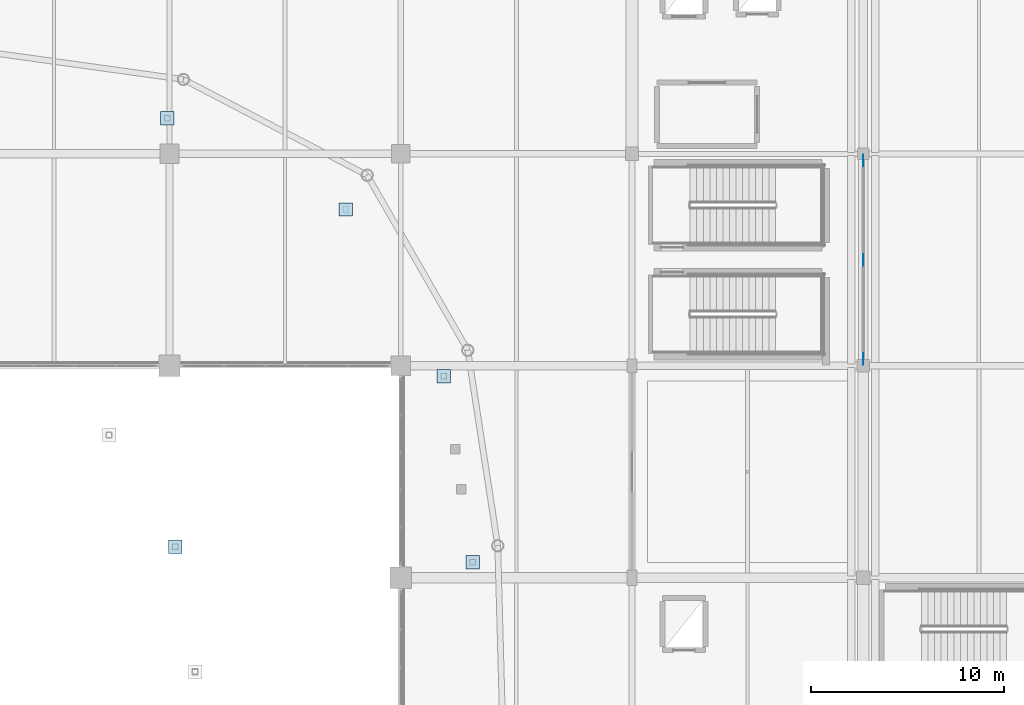
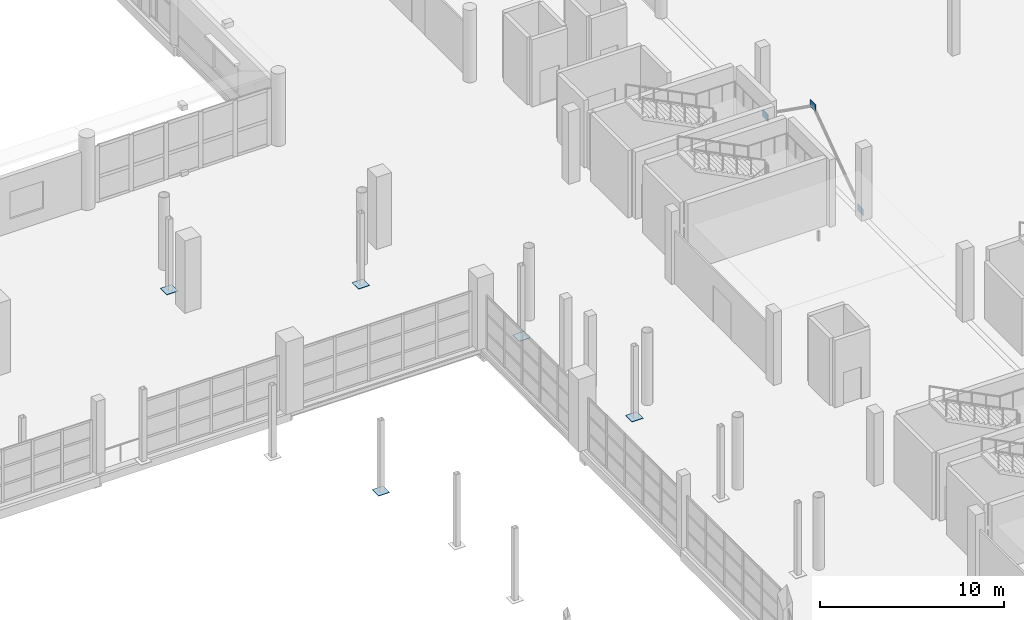
# One storey, part 89 of 143: 8 plates.
"""IFC4 building model written with IfcOpenShell, lengths in metres."""

from ifc_helpers import new_model, si_unit, direction, frame, origin, origin_2d, place, context, subcontext, project, spatial, rectangle, extrude, material, layer, layer_set, type_object, element, save


model = new_model("IFC4")

# Units and contexts
model_context = context("Model", 3, precision=1e-05, world=origin(), true_north=direction((0.0, 1.0)))
body_context = subcontext(model_context, "Body", "Model", "MODEL_VIEW")
ifc_project = project(units=[si_unit("LENGTHUNIT", "METRE"), si_unit("AREAUNIT", "SQUARE_METRE"), si_unit("VOLUMEUNIT", "CUBIC_METRE"), si_unit("PLANEANGLEUNIT", "RADIAN"), si_unit("MASSUNIT", "GRAM", prefix="KILO")], contexts=[model_context])

# Site, building, storey
site_placement = place(None, origin())
site = spatial("IfcSite", under=ifc_project, at=site_placement, CompositionType="ELEMENT")
building_placement = place(site_placement, origin())
building = spatial("IfcBuilding", under=site, at=building_placement, Name="Luwafu Chhajja Arena", CompositionType="ELEMENT")
storey_placement = place(building_placement, frame((0.0, 0.0, 5.39990234375)))
storey = spatial("IfcBuildingStorey", under=building, at=storey_placement, Name="L01", CompositionType="ELEMENT", Elevation=5.39990234375)

# Plates
ifc_material = material(Name="Steel S355", Category="steel")
ifc_layer_1 = layer(ifc_material, 0.031982421875, Name="Steel S355")
ifc_layer_set_1 = layer_set([ifc_layer_1], Name="Steel S355")
plate_type_1 = type_object("IfcPlateType", Name="Atrium Column Base Plate BP-2", PredefinedType="USERDEFINED", material=ifc_layer_set_1)
for number, where, z_axis, x_axis, name in (
    (1, (128.298583984375, 67.600341796875, 0.0), (0.0, 0.0, 1.0), (1.0, 0.0, 0.0), "Raker Post Base Plate BP-2 UI04"),
    (2, (143.739501953125, 66.79638671875, 0.0), (0.0, 0.0, 1.0), (1.0, 0.0, 0.0), "Raker Post Base Plate BP-2 UO03"),
    (3, (142.227294921875, 76.4580078125, 0.0), (0.0, 0.0, 1.0), (1.0, 0.0, 0.0), "Raker Post Base Plate BP-2 UO04"),
    (4, (137.15380859375, 85.1103515625, 0.0), (0.0, 0.0, 1.0), (1.0, 0.0, 0.0), "Raker Post Base Plate BP-2 UO05"),
    (5, (127.883544921875, 89.845458984375, 0.0), (0.0, 0.0, 1.0), (1.0, 0.0, 0.0), "Raker Post Base Plate BP-2 UO06"),
):
    element("IfcPlate", number, at=place(storey_placement, frame(where, z_axis=z_axis, x_axis=x_axis)), inside=storey, type_object=plate_type_1, Name=name, ObjectType="BASE PLATE", PredefinedType="USERDEFINED", context=body_context, shape_type="SweptSolid", body=[
        extrude(rectangle(XDim=0.699951171875, YDim=0.699951171875, at=origin_2d()), origin(), (0.0, 0.0, 1.0), 0.031982421875),
    ])
ifc_layer_2 = layer(ifc_material, 0.02197265625, Name="Steel S355")
ifc_layer_set_2 = layer_set([ifc_layer_2], Name="Steel S355")
plate_type_2 = type_object("IfcPlateType", Name="Lateral Brace Gusset Plate BN-1", PredefinedType="USERDEFINED", material=ifc_layer_set_2)
for number, where, z_axis, x_axis, name in (
    (6, (164.0, 82.5, 3.81005859375), (0.0, 0.0, 1.0), (1.0, 0.0, 0.0), "L01 Chevron Apex Gusset Plate BN-1 17"),
    (7, (164.0, 77.35009765625, 0.02490234375), (0.0, 0.0, 1.0), (1.0, 0.0, 0.0), "L01 Brace Base Gusset BN-1 17A"),
    (8, (164.0, 87.64990234375, 0.02490234375), (0.0, 0.0, 1.0), (1.0, 0.0, 0.0), "L01 Brace Base Gusset BN-1 17B"),
):
    element("IfcPlate", number, at=place(storey_placement, frame(where, z_axis=z_axis, x_axis=x_axis)), inside=storey, type_object=plate_type_2, Name=name, ObjectType="GUSSET PLATE", PredefinedType="USERDEFINED", context=body_context, shape_type="SweptSolid", body=[
        extrude(rectangle(XDim=0.02197265625, YDim=0.60009765625, at=origin_2d()), origin(), (0.0, 0.0, 1.0), 0.449951171875),
    ])

save(model, "model.ifc")
